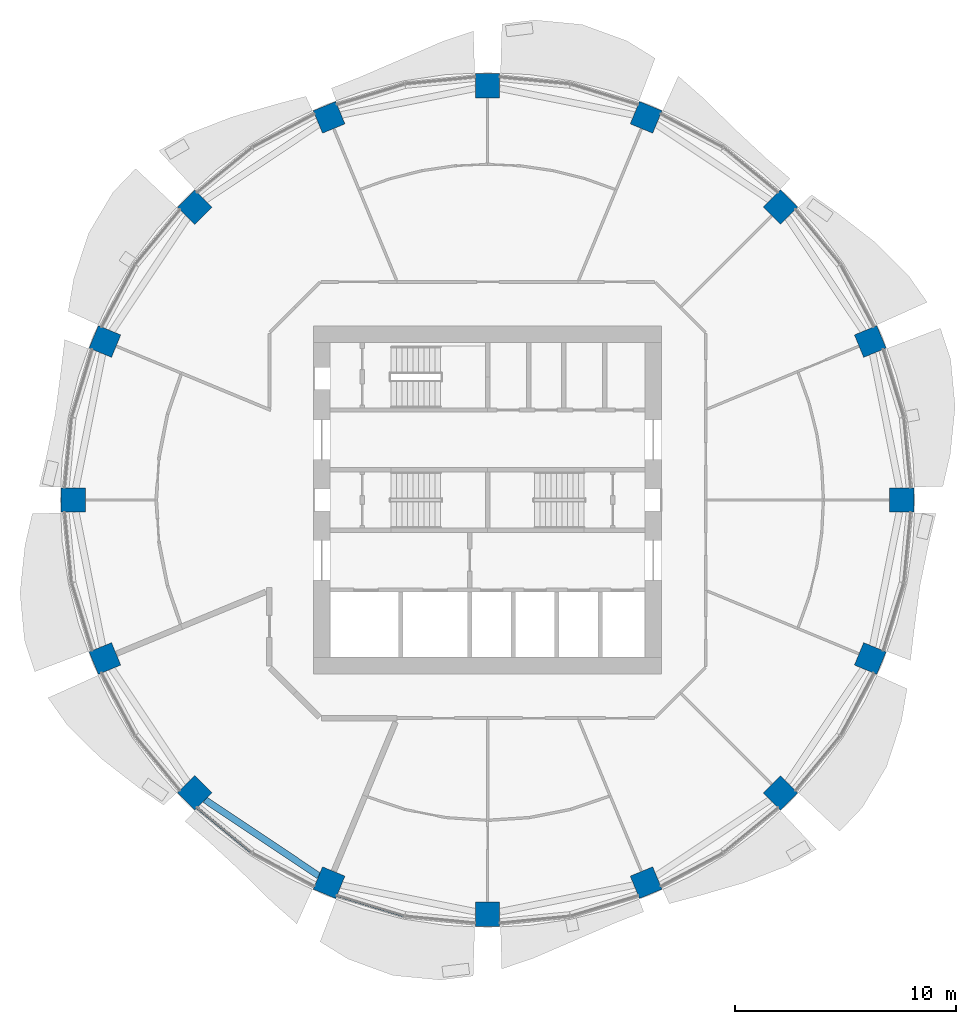
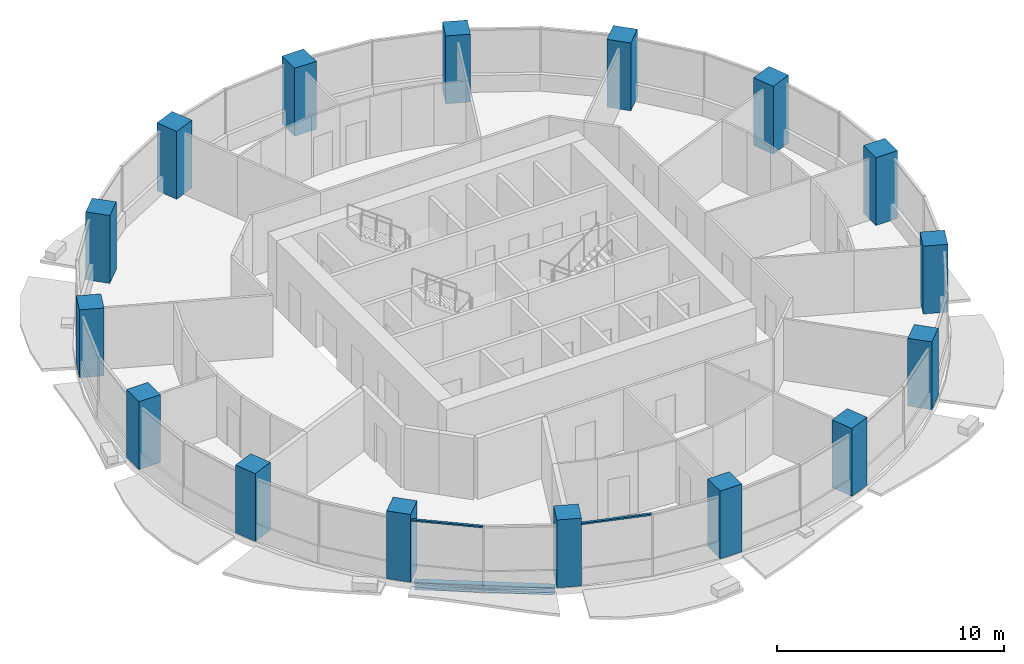
# One storey, part 1 of 15: 16 columns, 2 members, 1 beam, 2 elements without a shape of their own.
"""IFC4 building model written with IfcOpenShell, lengths in metres."""

from ifc_helpers import new_model, si_unit, direction, frame, origin, origin_2d, place, context, subcontext, project, spatial, rectangle, i_section, extrude, material, material_profile, profile_set, type_object, element, aggregate, save


model = new_model("IFC4")

# Units and contexts
model_context = context("Model", 3, precision=1e-05, world=origin(), true_north=direction((0.0, 1.0)))
body_context = subcontext(model_context, "Body", "Model", "MODEL_VIEW")
ifc_project = project(units=[si_unit("LENGTHUNIT", "METRE"), si_unit("AREAUNIT", "SQUARE_METRE"), si_unit("VOLUMEUNIT", "CUBIC_METRE"), si_unit("PLANEANGLEUNIT", "RADIAN"), si_unit("MASSUNIT", "GRAM", prefix="KILO")], contexts=[model_context])

# Site, building, storey
site_placement = place(None, origin())
site = spatial("IfcSite", under=ifc_project, at=site_placement, CompositionType="ELEMENT")
building_placement = place(site_placement, origin())
building = spatial("IfcBuilding", under=site, at=building_placement, Name="Polderwave Tower", CompositionType="ELEMENT")
storey_placement = place(building_placement, frame((0.0, 0.0, 87.35009765625)))
storey = spatial("IfcBuildingStorey", under=building, at=storey_placement, Name="L22", CompositionType="ELEMENT", Elevation=87.35009765625)

# Columns
ifc_material_1 = material(Name="Concrete C70/85", Category="concrete")
ifc_material_profile_1 = material_profile(ifc_material_1, rectangle(XDim=1.10009765625, YDim=1.10009765625, at=origin_2d()), Name="RC 1100x1100")
ifc_profile_set_1 = profile_set([ifc_material_profile_1], Name="Concrete C70/85")
column_type = type_object("IfcColumnType", Name="RC COLUMN 1100x1100 C70/85", PredefinedType="COLUMN", material=ifc_profile_set_1)
for number, where, z_axis, x_axis, name in (
    (1, (18.75, 0.0, 0.0), (0.0, 0.0, 1.0), (1.0, 0.0, 0.0), "Ring column 01"),
    (2, (17.32275390625, 7.17529296875, 0.0), (0.0, 0.0, 1.0), (0.923879532511, 0.382683432365, 0.0), "Ring column 02"),
    (3, (13.25830078125, 13.25830078125, 0.0), (0.0, 0.0, 1.0), (0.707106781187, 0.707106781187, 0.0), "Ring column 03"),
    (4, (7.17529296875, 17.32275390625, 0.0), (0.0, 0.0, 1.0), (0.382683432365, 0.923879532511, 0.0), "Ring column 04"),
    (5, (0.0, 18.75, 0.0), (0.0, 0.0, 1.0), (0.0, 1.0, 0.0), "Ring column 05"),
    (6, (-7.17529296875, 17.32275390625, 0.0), (0.0, 0.0, 1.0), (-0.382683432365, 0.923879532511, 0.0), "Ring column 06"),
    (7, (-13.25830078125, 13.25830078125, 0.0), (0.0, 0.0, 1.0), (-0.707106781187, 0.707106781187, 0.0), "Ring column 07"),
    (8, (-17.32275390625, 7.17529296875, 0.0), (0.0, 0.0, 1.0), (-0.923879532511, 0.382683432365, 0.0), "Ring column 08"),
    (9, (-18.75, 0.0, 0.0), (0.0, 0.0, 1.0), (-1.0, 0.0, 0.0), "Ring column 09"),
    (10, (-17.32275390625, -7.17529296875, 0.0), (0.0, 0.0, 1.0), (-0.923879532511, -0.382683432365, 0.0), "Ring column 10"),
    (11, (-13.25830078125, -13.25830078125, 0.0), (0.0, 0.0, 1.0), (-0.707106781187, -0.707106781187, 0.0), "Ring column 11"),
    (12, (-7.17529296875, -17.32275390625, 0.0), (0.0, 0.0, 1.0), (-0.382683432365, -0.923879532511, 0.0), "Ring column 12"),
    (13, (0.0, -18.75, 0.0), (0.0, 0.0, 1.0), (0.0, -1.0, 0.0), "Ring column 13"),
    (14, (7.17529296875, -17.32275390625, 0.0), (0.0, 0.0, 1.0), (0.382683432365, -0.923879532511, 0.0), "Ring column 14"),
    (15, (13.25830078125, -13.25830078125, 0.0), (0.0, 0.0, 1.0), (0.707106781187, -0.707106781187, 0.0), "Ring column 15"),
    (16, (17.32275390625, -7.17529296875, 0.0), (0.0, 0.0, 1.0), (0.923879532511, -0.382683432365, 0.0), "Ring column 16"),
):
    element("IfcColumn", number, at=place(storey_placement, frame(where, z_axis=z_axis, x_axis=x_axis)), inside=storey, type_object=column_type, Name=name, PredefinedType="COLUMN", context=body_context, shape_type="SweptSolid", body=[
        extrude(rectangle(XDim=1.10009765625, YDim=1.10009765625, at=origin_2d()), origin(), (0.0, 0.0, 1.0), 3.64990234375),
    ])

# Curtain wall, member
ifc_material_2 = material(Name="Aluminium 6063-T6 and glass", Category="aluminium")
curtain_wall_type = type_object("IfcCurtainWallType", Name="Growing floor ribbon glazing wall", PredefinedType="NOTDEFINED", material=ifc_material_2)
curtain_wall_1_placement = place(storey_placement, origin())
curtain_wall_1 = element("IfcCurtainWall", 17, at=curtain_wall_1_placement, inside=storey, type_object=curtain_wall_type, Name="CW2 L22 10", PredefinedType="NOTDEFINED")
ifc_material_3 = material(Name="Aluminium 6063-T6", Category="aluminium")
ifc_material_profile_2 = material_profile(ifc_material_3, rectangle(XDim=0.1201171875, YDim=0.080078125, at=origin_2d()), Name="AL 80x120")
ifc_profile_set_2 = profile_set([ifc_material_profile_2], Name="Aluminium 6063-T6")
member_type = type_object("IfcMemberType", Name="Growing floor ribbon glazing transom 80x120", PredefinedType="USERDEFINED", material=ifc_profile_set_2)
member_1_placement = place(storey_placement, frame((-13.14892578125, -13.927001953125, 3.260009765625), z_axis=(0.772974924898, -0.634436573251, 0.0), x_axis=(0.634436573251, 0.772974924898, 0.0)))
member_1 = element("IfcMember", 18, at=member_1_placement, type_object=member_type, Name="CW2 transom 1", ObjectType="TRANSOM", PredefinedType="USERDEFINED", context=body_context, shape_type="SweptSolid", body=[
    extrude(rectangle(XDim=0.1201171875, YDim=0.080078125, at=origin_2d()), origin(), (0.0, 0.0, 1.0), 3.180908203125),
])
aggregate(curtain_wall_1, [member_1])

curtain_wall_2_placement = place(storey_placement, origin())
curtain_wall_2 = element("IfcCurtainWall", 19, at=curtain_wall_2_placement, inside=storey, type_object=curtain_wall_type, Name="CW2 L22 11", PredefinedType="NOTDEFINED")
member_2_placement = place(storey_placement, frame((-6.819091796875, -17.89892578125, 3.260009765625), z_axis=(0.95695596309, -0.290233155766, 0.0), x_axis=(0.290233155766, 0.95695596309, 0.0)))
member_2 = element("IfcMember", 20, at=member_2_placement, type_object=member_type, Name="CW2 transom 1", ObjectType="TRANSOM", PredefinedType="USERDEFINED", context=body_context, shape_type="SweptSolid", body=[
    extrude(rectangle(XDim=0.1201171875, YDim=0.080078125, at=origin_2d()), origin(), (0.0, 0.0, 1.0), 3.181396484375),
])
aggregate(curtain_wall_2, [member_2])

# Beam
ifc_material_4 = material(Name="Steel S355", Category="steel")
ifc_material_profile_3 = material_profile(ifc_material_4, i_section(OverallWidth=0.300048828125, OverallDepth=0.39990234375, WebThickness=0.013427734375, FlangeThickness=0.02392578125, at=origin_2d()), Name="HE 400 B")
ifc_profile_set_3 = profile_set([ifc_material_profile_3], Name="Steel S355")
beam_type = type_object("IfcBeamType", Name="RING BEAM HE 400 B", PredefinedType="BEAM", material=ifc_profile_set_3)
beam_placement = place(storey_placement, frame((-12.7919921875, -13.56982421875, -0.550048828125), z_axis=(0.831467728736, -0.555573051966, 0.0), x_axis=(0.555573051966, 0.831467728736, 0.0)))
element("IfcBeam", 21, at=beam_placement, inside=storey, type_object=beam_type, Name="ST-RB-L22-10", PredefinedType="BEAM", context=body_context, shape_type="SweptSolid", body=[
    extrude(i_section(OverallWidth=0.300048828125, OverallDepth=0.39990234375, WebThickness=0.013427734375, FlangeThickness=0.02392578125, at=origin_2d()), origin(), (0.0, 0.0, 1.0), 6.1943359375),
])

save(model, "model.ifc")
